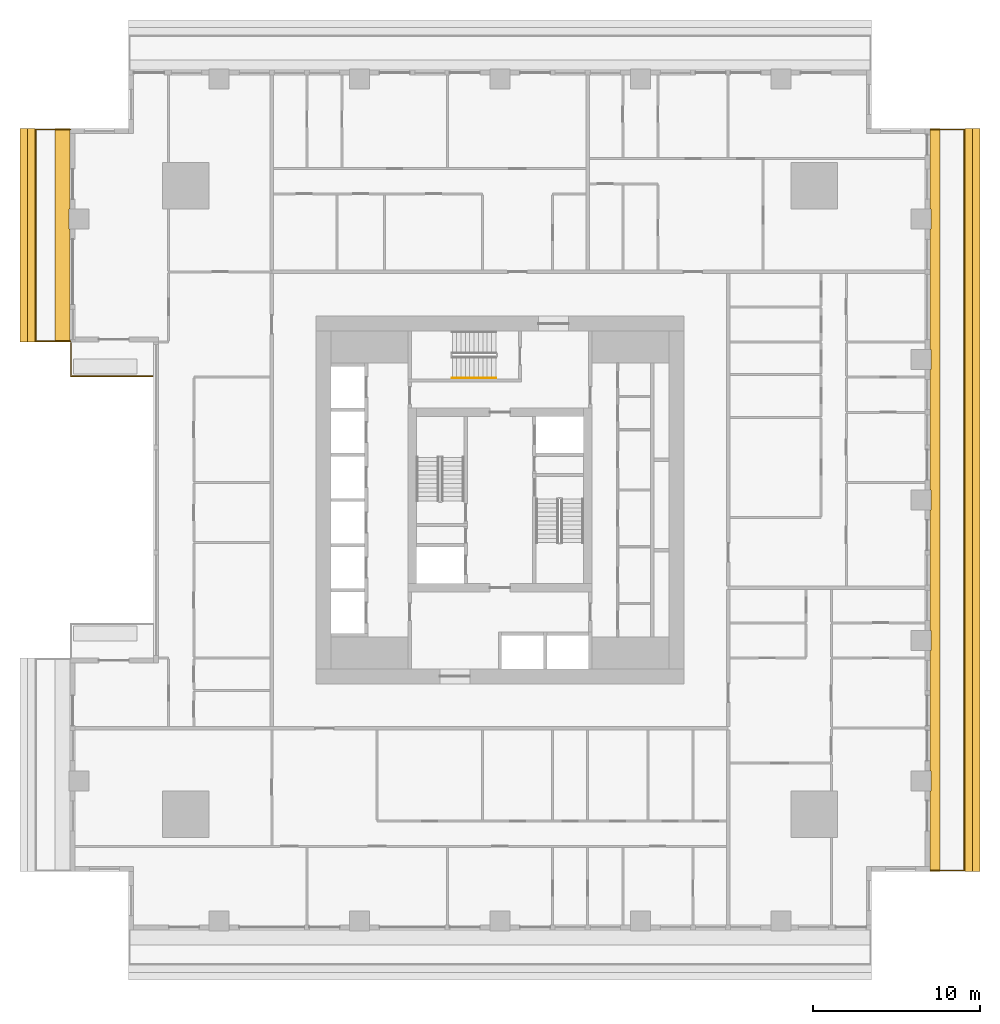
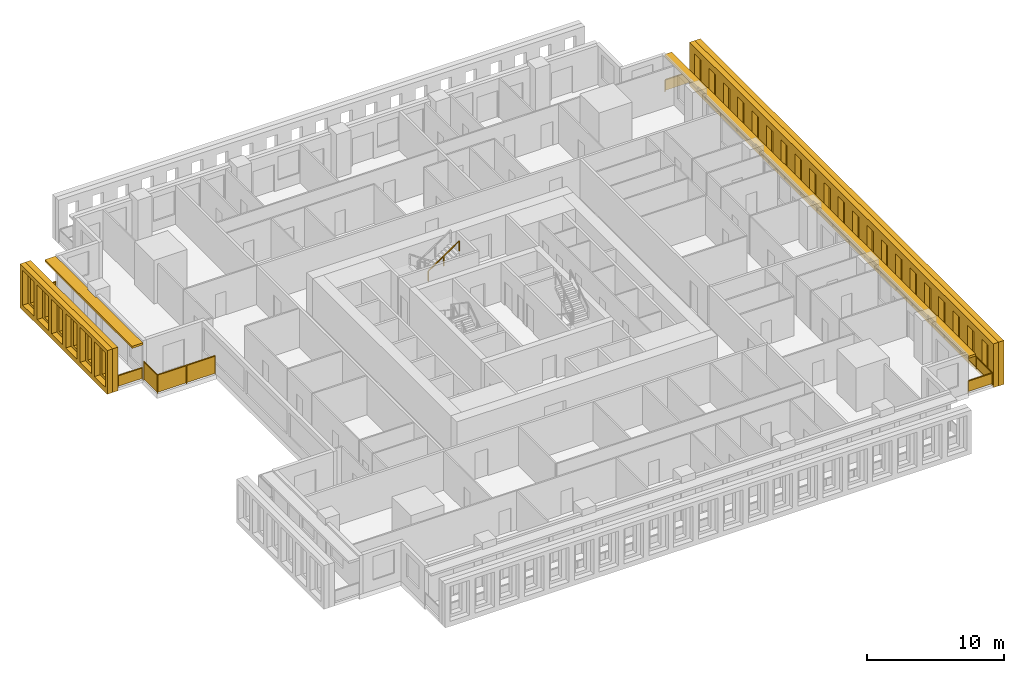
# One storey, part 12 of 14: 6 shading devices, 4 railings.
"""IFC4 building model written with IfcOpenShell, lengths in metres."""

from ifc_helpers import new_model, si_unit, direction, frame, origin, origin_2d, place, context, subcontext, project, spatial, polyline, rectangle, outline, extrude, material, layer, layer_set, type_object, element, save


model = new_model("IFC4")

# Units and contexts
model_context = context("Model", 3, precision=1e-05, world=origin(), true_north=direction((0.0, 1.0)))
body_context = subcontext(model_context, "Body", "Model", "MODEL_VIEW")
ifc_project = project(units=[si_unit("LENGTHUNIT", "METRE"), si_unit("AREAUNIT", "SQUARE_METRE"), si_unit("VOLUMEUNIT", "CUBIC_METRE"), si_unit("PLANEANGLEUNIT", "RADIAN"), si_unit("MASSUNIT", "GRAM", prefix="KILO")], contexts=[model_context])

# Site, building, storey
site_placement = place(None, origin())
site = spatial("IfcSite", under=ifc_project, at=site_placement, CompositionType="ELEMENT")
building_placement = place(site_placement, origin())
building = spatial("IfcBuilding", under=site, at=building_placement, Name="Khepri Terraces", CompositionType="ELEMENT")
storey_placement = place(building_placement, frame((0.0, 0.0, 102.60009765625)))
storey = spatial("IfcBuildingStorey", under=building, at=storey_placement, Name="L24", CompositionType="ELEMENT", Elevation=102.60009765625)

# Railings
ifc_material_1 = material(Name="Stainless steel grade 316", Category="steel")
railing_type_1 = type_object("IfcRailingType", Name="GRD-BAL-1100", PredefinedType="GUARDRAIL", material=ifc_material_1)
railing_1_placement = place(storey_placement, frame((25.719970703125, -22.169921875, 0.0)))
element("IfcRailing", 1, at=railing_1_placement, inside=storey, type_object=railing_type_1, Name="Balcony guard L24 E", PredefinedType="GUARDRAIL", context=body_context, shape_type="SweptSolid", body=[
    extrude(rectangle(XDim=0.050048828125, YDim=0.06005859375, at=origin_2d()), frame((0.0, 0.0, 1.070068359375), z_axis=(1.0, 0.0, 0.0), x_axis=(0.0, 1.0, 0.0)), (0.0, 0.0, 1.0), 2.050048828125),
    extrude(rectangle(XDim=2.0, YDim=0.011962890625, at=origin_2d()), frame((1.02490234375, 0.0, 0.10009765625), z_axis=(0.0, 0.0, 1.0), x_axis=(1.0, 0.0, 0.0)), (0.0, 0.0, 1.0), 0.93994140625),
    extrude(rectangle(XDim=0.050048828125, YDim=0.06005859375, at=origin_2d()), frame((2.050048828125, 0.0, 1.070068359375), z_axis=(0.0, 1.0, 0.0), x_axis=(-1.0, 0.0, 0.0)), (0.0, 0.0, 1.0), 44.33984375),
    extrude(rectangle(XDim=2.28369140625, YDim=0.011962890625, at=origin_2d()), frame((2.050048828125, 1.166748046875, 0.10009765625), z_axis=(0.0, 0.0, 1.0), x_axis=(0.0, 1.0, 0.0)), (0.0, 0.0, 1.0), 0.93994140625),
    extrude(rectangle(XDim=2.28369140625, YDim=0.011962890625, at=origin_2d()), frame((2.050048828125, 3.50048828125, 0.10009765625), z_axis=(0.0, 0.0, 1.0), x_axis=(0.0, 1.0, 0.0)), (0.0, 0.0, 1.0), 0.93994140625),
    extrude(rectangle(XDim=2.28369140625, YDim=0.011962890625, at=origin_2d()), frame((2.050048828125, 5.834228515625, 0.10009765625), z_axis=(0.0, 0.0, 1.0), x_axis=(0.0, 1.0, 0.0)), (0.0, 0.0, 1.0), 0.93994140625),
    extrude(rectangle(XDim=2.28369140625, YDim=0.011962890625, at=origin_2d()), frame((2.050048828125, 8.16796875, 0.10009765625), z_axis=(0.0, 0.0, 1.0), x_axis=(0.0, 1.0, 0.0)), (0.0, 0.0, 1.0), 0.93994140625),
    extrude(rectangle(XDim=2.28369140625, YDim=0.011962890625, at=origin_2d()), frame((2.050048828125, 10.50146484375, 0.10009765625), z_axis=(0.0, 0.0, 1.0), x_axis=(0.0, 1.0, 0.0)), (0.0, 0.0, 1.0), 0.93994140625),
    extrude(rectangle(XDim=2.28369140625, YDim=0.011962890625, at=origin_2d()), frame((2.050048828125, 12.835205078125, 0.10009765625), z_axis=(0.0, 0.0, 1.0), x_axis=(0.0, 1.0, 0.0)), (0.0, 0.0, 1.0), 0.93994140625),
    extrude(rectangle(XDim=2.28369140625, YDim=0.011962890625, at=origin_2d()), frame((2.050048828125, 15.1689453125, 0.10009765625), z_axis=(0.0, 0.0, 1.0), x_axis=(0.0, 1.0, 0.0)), (0.0, 0.0, 1.0), 0.93994140625),
    extrude(rectangle(XDim=2.28369140625, YDim=0.011962890625, at=origin_2d()), frame((2.050048828125, 17.502685546875, 0.10009765625), z_axis=(0.0, 0.0, 1.0), x_axis=(0.0, 1.0, 0.0)), (0.0, 0.0, 1.0), 0.93994140625),
    extrude(rectangle(XDim=2.28369140625, YDim=0.011962890625, at=origin_2d()), frame((2.050048828125, 19.836181640625, 0.10009765625), z_axis=(0.0, 0.0, 1.0), x_axis=(0.0, 1.0, 0.0)), (0.0, 0.0, 1.0), 0.93994140625),
    extrude(rectangle(XDim=2.28369140625, YDim=0.011962890625, at=origin_2d()), frame((2.050048828125, 22.169921875, 0.10009765625), z_axis=(0.0, 0.0, 1.0), x_axis=(0.0, 1.0, 0.0)), (0.0, 0.0, 1.0), 0.93994140625),
    extrude(rectangle(XDim=2.28369140625, YDim=0.011962890625, at=origin_2d()), frame((2.050048828125, 24.503662109375, 0.10009765625), z_axis=(0.0, 0.0, 1.0), x_axis=(0.0, 1.0, 0.0)), (0.0, 0.0, 1.0), 0.93994140625),
    extrude(rectangle(XDim=2.28369140625, YDim=0.011962890625, at=origin_2d()), frame((2.050048828125, 26.837158203125, 0.10009765625), z_axis=(0.0, 0.0, 1.0), x_axis=(0.0, 1.0, 0.0)), (0.0, 0.0, 1.0), 0.93994140625),
    extrude(rectangle(XDim=2.28369140625, YDim=0.011962890625, at=origin_2d()), frame((2.050048828125, 29.1708984375, 0.10009765625), z_axis=(0.0, 0.0, 1.0), x_axis=(0.0, 1.0, 0.0)), (0.0, 0.0, 1.0), 0.93994140625),
    extrude(rectangle(XDim=2.28369140625, YDim=0.011962890625, at=origin_2d()), frame((2.050048828125, 31.504638671875, 0.10009765625), z_axis=(0.0, 0.0, 1.0), x_axis=(0.0, 1.0, 0.0)), (0.0, 0.0, 1.0), 0.93994140625),
    extrude(rectangle(XDim=2.28369140625, YDim=0.011962890625, at=origin_2d()), frame((2.050048828125, 33.83837890625, 0.10009765625), z_axis=(0.0, 0.0, 1.0), x_axis=(0.0, 1.0, 0.0)), (0.0, 0.0, 1.0), 0.93994140625),
    extrude(rectangle(XDim=2.28369140625, YDim=0.011962890625, at=origin_2d()), frame((2.050048828125, 36.171875, 0.10009765625), z_axis=(0.0, 0.0, 1.0), x_axis=(0.0, 1.0, 0.0)), (0.0, 0.0, 1.0), 0.93994140625),
    extrude(rectangle(XDim=2.28369140625, YDim=0.011962890625, at=origin_2d()), frame((2.050048828125, 38.505615234375, 0.10009765625), z_axis=(0.0, 0.0, 1.0), x_axis=(0.0, 1.0, 0.0)), (0.0, 0.0, 1.0), 0.93994140625),
    extrude(rectangle(XDim=2.28369140625, YDim=0.011962890625, at=origin_2d()), frame((2.050048828125, 40.83935546875, 0.10009765625), z_axis=(0.0, 0.0, 1.0), x_axis=(0.0, 1.0, 0.0)), (0.0, 0.0, 1.0), 0.93994140625),
    extrude(rectangle(XDim=2.28369140625, YDim=0.011962890625, at=origin_2d()), frame((2.050048828125, 43.173095703125, 0.10009765625), z_axis=(0.0, 0.0, 1.0), x_axis=(0.0, 1.0, 0.0)), (0.0, 0.0, 1.0), 0.93994140625),
    extrude(rectangle(XDim=0.050048828125, YDim=0.06005859375, at=origin_2d()), frame((2.050048828125, 44.33984375, 1.070068359375), z_axis=(-1.0, 0.0, 0.0), x_axis=(0.0, -1.0, 0.0)), (0.0, 0.0, 1.0), 2.050048828125),
    extrude(rectangle(XDim=2.0, YDim=0.011962890625, at=origin_2d()), frame((1.02490234375, 44.33984375, 0.10009765625), z_axis=(0.0, 0.0, 1.0), x_axis=(-1.0, 0.0, 0.0)), (0.0, 0.0, 1.0), 0.93994140625),
    extrude(rectangle(XDim=0.050048828125, YDim=0.050048828125, at=origin_2d()), origin(), (0.0, 0.0, 1.0), 1.0400390625),
    extrude(rectangle(XDim=0.050048828125, YDim=0.050048828125, at=origin_2d()), frame((2.050048828125, 0.0, 0.0)), (0.0, 0.0, 1.0), 1.0400390625),
    extrude(rectangle(XDim=0.050048828125, YDim=0.050048828125, at=origin_2d()), frame((2.050048828125, 2.333740234375, 0.0)), (0.0, 0.0, 1.0), 1.0400390625),
    extrude(rectangle(XDim=0.050048828125, YDim=0.050048828125, at=origin_2d()), frame((2.050048828125, 4.667236328125, 0.0)), (0.0, 0.0, 1.0), 1.0400390625),
    extrude(rectangle(XDim=0.050048828125, YDim=0.050048828125, at=origin_2d()), frame((2.050048828125, 7.0009765625, 0.0)), (0.0, 0.0, 1.0), 1.0400390625),
    extrude(rectangle(XDim=0.050048828125, YDim=0.050048828125, at=origin_2d()), frame((2.050048828125, 9.334716796875, 0.0)), (0.0, 0.0, 1.0), 1.0400390625),
    extrude(rectangle(XDim=0.050048828125, YDim=0.050048828125, at=origin_2d()), frame((2.050048828125, 11.66845703125, 0.0)), (0.0, 0.0, 1.0), 1.0400390625),
    extrude(rectangle(XDim=0.050048828125, YDim=0.050048828125, at=origin_2d()), frame((2.050048828125, 14.001953125, 0.0)), (0.0, 0.0, 1.0), 1.0400390625),
    extrude(rectangle(XDim=0.050048828125, YDim=0.050048828125, at=origin_2d()), frame((2.050048828125, 16.335693359375, 0.0)), (0.0, 0.0, 1.0), 1.0400390625),
    extrude(rectangle(XDim=0.050048828125, YDim=0.050048828125, at=origin_2d()), frame((2.050048828125, 18.66943359375, 0.0)), (0.0, 0.0, 1.0), 1.0400390625),
    extrude(rectangle(XDim=0.050048828125, YDim=0.050048828125, at=origin_2d()), frame((2.050048828125, 21.003173828125, 0.0)), (0.0, 0.0, 1.0), 1.0400390625),
    extrude(rectangle(XDim=0.050048828125, YDim=0.050048828125, at=origin_2d()), frame((2.050048828125, 23.336669921875, 0.0)), (0.0, 0.0, 1.0), 1.0400390625),
    extrude(rectangle(XDim=0.050048828125, YDim=0.050048828125, at=origin_2d()), frame((2.050048828125, 25.67041015625, 0.0)), (0.0, 0.0, 1.0), 1.0400390625),
    extrude(rectangle(XDim=0.050048828125, YDim=0.050048828125, at=origin_2d()), frame((2.050048828125, 28.004150390625, 0.0)), (0.0, 0.0, 1.0), 1.0400390625),
    extrude(rectangle(XDim=0.050048828125, YDim=0.050048828125, at=origin_2d()), frame((2.050048828125, 30.337890625, 0.0)), (0.0, 0.0, 1.0), 1.0400390625),
    extrude(rectangle(XDim=0.050048828125, YDim=0.050048828125, at=origin_2d()), frame((2.050048828125, 32.67138671875, 0.0)), (0.0, 0.0, 1.0), 1.0400390625),
    extrude(rectangle(XDim=0.050048828125, YDim=0.050048828125, at=origin_2d()), frame((2.050048828125, 35.005126953125, 0.0)), (0.0, 0.0, 1.0), 1.0400390625),
    extrude(rectangle(XDim=0.050048828125, YDim=0.050048828125, at=origin_2d()), frame((2.050048828125, 37.3388671875, 0.0)), (0.0, 0.0, 1.0), 1.0400390625),
    extrude(rectangle(XDim=0.050048828125, YDim=0.050048828125, at=origin_2d()), frame((2.050048828125, 39.672607421875, 0.0)), (0.0, 0.0, 1.0), 1.0400390625),
    extrude(rectangle(XDim=0.050048828125, YDim=0.050048828125, at=origin_2d()), frame((2.050048828125, 42.006103515625, 0.0)), (0.0, 0.0, 1.0), 1.0400390625),
    extrude(rectangle(XDim=0.050048828125, YDim=0.050048828125, at=origin_2d()), frame((2.050048828125, 44.33984375, 0.0)), (0.0, 0.0, 1.0), 1.0400390625),
    extrude(rectangle(XDim=0.050048828125, YDim=0.050048828125, at=origin_2d()), frame((0.0, 44.33984375, 0.0)), (0.0, 0.0, 1.0), 1.0400390625),
])
railing_2_placement = place(storey_placement, frame((-25.719970703125, 22.169921875, 0.0)))
element("IfcRailing", 2, at=railing_2_placement, inside=storey, type_object=railing_type_1, Name="Balcony guard L24 W", PredefinedType="GUARDRAIL", context=body_context, shape_type="SweptSolid", body=[
    extrude(rectangle(XDim=0.050048828125, YDim=0.06005859375, at=origin_2d()), frame((0.0, 0.0, 1.070068359375), z_axis=(-1.0, 0.0, 0.0), x_axis=(0.0, -1.0, 0.0)), (0.0, 0.0, 1.0), 2.050048828125),
    extrude(rectangle(XDim=2.0, YDim=0.011962890625, at=origin_2d()), frame((-1.02490234375, 0.0, 0.10009765625), z_axis=(0.0, 0.0, 1.0), x_axis=(-1.0, 0.0, 0.0)), (0.0, 0.0, 1.0), 0.93994140625),
    extrude(rectangle(XDim=0.050048828125, YDim=0.06005859375, at=origin_2d()), frame((-2.050048828125, 0.0, 1.070068359375), z_axis=(0.0, -1.0, 0.0), x_axis=(1.0, 0.0, 0.0)), (0.0, 0.0, 1.0), 12.669921875),
    extrude(rectangle(XDim=2.0615234375, YDim=0.011962890625, at=origin_2d()), frame((-2.050048828125, -1.055908203125, 0.10009765625), z_axis=(0.0, 0.0, 1.0), x_axis=(0.0, -1.0, 0.0)), (0.0, 0.0, 1.0), 0.93994140625),
    extrude(rectangle(XDim=2.0615234375, YDim=0.011962890625, at=origin_2d()), frame((-2.050048828125, -3.16748046875, 0.10009765625), z_axis=(0.0, 0.0, 1.0), x_axis=(0.0, -1.0, 0.0)), (0.0, 0.0, 1.0), 0.93994140625),
    extrude(rectangle(XDim=2.0615234375, YDim=0.011962890625, at=origin_2d()), frame((-2.050048828125, -5.279052734375, 0.10009765625), z_axis=(0.0, 0.0, 1.0), x_axis=(0.0, -1.0, 0.0)), (0.0, 0.0, 1.0), 0.93994140625),
    extrude(rectangle(XDim=2.0615234375, YDim=0.011962890625, at=origin_2d()), frame((-2.050048828125, -7.390869140625, 0.10009765625), z_axis=(0.0, 0.0, 1.0), x_axis=(0.0, -1.0, 0.0)), (0.0, 0.0, 1.0), 0.93994140625),
    extrude(rectangle(XDim=2.0615234375, YDim=0.011962890625, at=origin_2d()), frame((-2.050048828125, -9.50244140625, 0.10009765625), z_axis=(0.0, 0.0, 1.0), x_axis=(0.0, -1.0, 0.0)), (0.0, 0.0, 1.0), 0.93994140625),
    extrude(rectangle(XDim=2.0615234375, YDim=0.011962890625, at=origin_2d()), frame((-2.050048828125, -11.614013671875, 0.10009765625), z_axis=(0.0, 0.0, 1.0), x_axis=(0.0, -1.0, 0.0)), (0.0, 0.0, 1.0), 0.93994140625),
    extrude(rectangle(XDim=0.050048828125, YDim=0.06005859375, at=origin_2d()), frame((-2.050048828125, -12.669921875, 1.070068359375), z_axis=(1.0, 0.0, 0.0), x_axis=(0.0, 1.0, 0.0)), (0.0, 0.0, 1.0), 2.050048828125),
    extrude(rectangle(XDim=2.0, YDim=0.011962890625, at=origin_2d()), frame((-1.02490234375, -12.669921875, 0.10009765625), z_axis=(0.0, 0.0, 1.0), x_axis=(1.0, 0.0, 0.0)), (0.0, 0.0, 1.0), 0.93994140625),
    extrude(rectangle(XDim=0.050048828125, YDim=0.050048828125, at=origin_2d()), origin(), (0.0, 0.0, 1.0), 1.0400390625),
    extrude(rectangle(XDim=0.050048828125, YDim=0.050048828125, at=origin_2d()), frame((-2.050048828125, 0.0, 0.0)), (0.0, 0.0, 1.0), 1.0400390625),
    extrude(rectangle(XDim=0.050048828125, YDim=0.050048828125, at=origin_2d()), frame((-2.050048828125, -2.111572265625, 0.0)), (0.0, 0.0, 1.0), 1.0400390625),
    extrude(rectangle(XDim=0.050048828125, YDim=0.050048828125, at=origin_2d()), frame((-2.050048828125, -4.223388671875, 0.0)), (0.0, 0.0, 1.0), 1.0400390625),
    extrude(rectangle(XDim=0.050048828125, YDim=0.050048828125, at=origin_2d()), frame((-2.050048828125, -6.3349609375, 0.0)), (0.0, 0.0, 1.0), 1.0400390625),
    extrude(rectangle(XDim=0.050048828125, YDim=0.050048828125, at=origin_2d()), frame((-2.050048828125, -8.446533203125, 0.0)), (0.0, 0.0, 1.0), 1.0400390625),
    extrude(rectangle(XDim=0.050048828125, YDim=0.050048828125, at=origin_2d()), frame((-2.050048828125, -10.558349609375, 0.0)), (0.0, 0.0, 1.0), 1.0400390625),
    extrude(rectangle(XDim=0.050048828125, YDim=0.050048828125, at=origin_2d()), frame((-2.050048828125, -12.669921875, 0.0)), (0.0, 0.0, 1.0), 1.0400390625),
    extrude(rectangle(XDim=0.050048828125, YDim=0.050048828125, at=origin_2d()), frame((0.0, -12.669921875, 0.0)), (0.0, 0.0, 1.0), 1.0400390625),
])
railing_type_2 = type_object("IfcRailingType", Name="GRD-TERR-1700", PredefinedType="GUARDRAIL", material=ifc_material_1)
railing_3_placement = place(storey_placement, frame((-20.7900390625, 7.39990234375, 0.0)))
element("IfcRailing", 3, at=railing_3_placement, inside=storey, type_object=railing_type_2, Name="Terrace guard L24", PredefinedType="GUARDRAIL", context=body_context, shape_type="SweptSolid", body=[
    extrude(rectangle(XDim=0.050048828125, YDim=0.06005859375, at=origin_2d()), frame((0.0, 0.0, 1.669921875), z_axis=(-1.0, 0.0, 0.0), x_axis=(0.0, -1.0, 0.0)), (0.0, 0.0, 1.0), 4.8798828125),
    extrude(rectangle(XDim=2.389892578125, YDim=0.011962890625, at=origin_2d()), frame((-1.219970703125, 0.0, 0.10009765625), z_axis=(0.0, 0.0, 1.0), x_axis=(-1.0, 0.0, 0.0)), (0.0, 0.0, 1.0), 1.539794921875),
    extrude(rectangle(XDim=2.389892578125, YDim=0.011962890625, at=origin_2d()), frame((-3.659912109375, 0.0, 0.10009765625), z_axis=(0.0, 0.0, 1.0), x_axis=(-1.0, 0.0, 0.0)), (0.0, 0.0, 1.0), 1.539794921875),
    extrude(rectangle(XDim=0.050048828125, YDim=0.06005859375, at=origin_2d()), frame((-4.8798828125, 0.0, 1.669921875), z_axis=(0.0, 1.0, 0.0), x_axis=(-1.0, 0.0, 0.0)), (0.0, 0.0, 1.0), 1.97998046875),
    extrude(rectangle(XDim=1.929931640625, YDim=0.011962890625, at=origin_2d()), frame((-4.8798828125, 0.989990234375, 0.10009765625), z_axis=(0.0, 0.0, 1.0), x_axis=(0.0, 1.0, 0.0)), (0.0, 0.0, 1.0), 1.539794921875),
    extrude(rectangle(XDim=0.050048828125, YDim=0.050048828125, at=origin_2d()), origin(), (0.0, 0.0, 1.0), 1.639892578125),
    extrude(rectangle(XDim=0.050048828125, YDim=0.050048828125, at=origin_2d()), frame((-2.43994140625, 0.0, 0.0)), (0.0, 0.0, 1.0), 1.639892578125),
    extrude(rectangle(XDim=0.050048828125, YDim=0.050048828125, at=origin_2d()), frame((-4.8798828125, 0.0, 0.0)), (0.0, 0.0, 1.0), 1.639892578125),
    extrude(rectangle(XDim=0.050048828125, YDim=0.050048828125, at=origin_2d()), frame((-4.8798828125, 1.97998046875, 0.0)), (0.0, 0.0, 1.0), 1.639892578125),
])
ifc_material_2 = material(Name="Stainless steel 316", Category="steel")
railing_type_3 = type_object("IfcRailingType", Name="RL-CORE-HANDRAIL", PredefinedType="HANDRAIL", material=ifc_material_2)
railing_4_placement = place(storey_placement, frame((-2.85009765625, 7.300048828125, 2.127197265625)))
element("IfcRailing", 4, at=railing_4_placement, inside=storey, type_object=railing_type_3, Name="L24 ST-3 stair handrail 2", PredefinedType="HANDRAIL", context=body_context, shape_type="SweptSolid", body=[
    extrude(rectangle(XDim=0.050048828125, YDim=0.050048828125, at=origin_2d()), frame((0.0, 0.0, 0.875), z_axis=(0.826240473404, 0.0, 0.563317565952), x_axis=(0.0, 1.0, 0.0)), (0.0, 0.0, 1.0), 3.14697265625),
    extrude(rectangle(XDim=0.050048828125, YDim=0.050048828125, at=origin_2d()), origin(), (0.0, 0.0, 1.0), 0.849853515625),
    extrude(rectangle(XDim=0.050048828125, YDim=0.050048828125, at=origin_2d()), frame((1.300048828125, 0.0, 0.88623046875)), (0.0, 0.0, 1.0), 0.849853515625),
    extrude(rectangle(XDim=0.050048828125, YDim=0.050048828125, at=origin_2d()), frame((2.60009765625, 0.0, 1.772705078125)), (0.0, 0.0, 1.0), 0.849853515625),
])

# Shading devices
ifc_material_3 = material(Name="Precast concrete C50/60 warm stone", Category="masonry")
shading_device_type_1 = type_object("IfcShadingDeviceType", Name="SCR-CELL-INNER-450", PredefinedType="USERDEFINED", material=ifc_material_3)
shading_device_1_placement = place(storey_placement, frame((27.820068359375, -22.219970703125, -0.25), z_axis=(1.0, 0.0, 0.0), x_axis=(0.0, 1.0, 0.0)))
element("IfcShadingDevice", 5, at=shading_device_1_placement, inside=storey, type_object=shading_device_type_1, Name="Cell screen L24 E in", ObjectType="SCREEN", PredefinedType="USERDEFINED", context=body_context, shape_type="SweptSolid", body=[
    extrude(outline(polyline([(0.0, 0.0), (44.43994140625, 0.0), (44.43994140625, 3.89990234375), (0.0, 3.89990234375), (0.0, 0.0)]), holes=[polyline([(0.74755859375, 0.699951171875), (1.6923828125, 0.699951171875), (1.6923828125, 3.300048828125), (0.74755859375, 3.300048828125), (0.74755859375, 0.699951171875)]), polyline([(2.847412109375, 0.699951171875), (3.79248046875, 0.699951171875), (3.79248046875, 3.300048828125), (2.847412109375, 3.300048828125), (2.847412109375, 0.699951171875)]), polyline([(4.947509765625, 0.699951171875), (5.892578125, 0.699951171875), (5.892578125, 3.300048828125), (4.947509765625, 3.300048828125), (4.947509765625, 0.699951171875)]), polyline([(7.047607421875, 0.699951171875), (7.992431640625, 0.699951171875), (7.992431640625, 3.300048828125), (7.047607421875, 3.300048828125), (7.047607421875, 0.699951171875)]), polyline([(9.1474609375, 0.699951171875), (10.092529296875, 0.699951171875), (10.092529296875, 3.300048828125), (9.1474609375, 3.300048828125), (9.1474609375, 0.699951171875)]), polyline([(11.24755859375, 0.699951171875), (12.1923828125, 0.699951171875), (12.1923828125, 3.300048828125), (11.24755859375, 3.300048828125), (11.24755859375, 0.699951171875)]), polyline([(13.347412109375, 0.699951171875), (14.29248046875, 0.699951171875), (14.29248046875, 3.300048828125), (13.347412109375, 3.300048828125), (13.347412109375, 0.699951171875)]), polyline([(15.447509765625, 0.699951171875), (16.392578125, 0.699951171875), (16.392578125, 3.300048828125), (15.447509765625, 3.300048828125), (15.447509765625, 0.699951171875)]), polyline([(17.547607421875, 0.699951171875), (18.492431640625, 0.699951171875), (18.492431640625, 3.300048828125), (17.547607421875, 3.300048828125), (17.547607421875, 0.699951171875)]), polyline([(19.6474609375, 0.699951171875), (20.592529296875, 0.699951171875), (20.592529296875, 3.300048828125), (19.6474609375, 3.300048828125), (19.6474609375, 0.699951171875)]), polyline([(21.74755859375, 0.699951171875), (22.6923828125, 0.699951171875), (22.6923828125, 3.300048828125), (21.74755859375, 3.300048828125), (21.74755859375, 0.699951171875)]), polyline([(23.847412109375, 0.699951171875), (24.79248046875, 0.699951171875), (24.79248046875, 3.300048828125), (23.847412109375, 3.300048828125), (23.847412109375, 0.699951171875)]), polyline([(25.947509765625, 0.699951171875), (26.892578125, 0.699951171875), (26.892578125, 3.300048828125), (25.947509765625, 3.300048828125), (25.947509765625, 0.699951171875)]), polyline([(28.047607421875, 0.699951171875), (28.992431640625, 0.699951171875), (28.992431640625, 3.300048828125), (28.047607421875, 3.300048828125), (28.047607421875, 0.699951171875)]), polyline([(30.1474609375, 0.699951171875), (31.092529296875, 0.699951171875), (31.092529296875, 3.300048828125), (30.1474609375, 3.300048828125), (30.1474609375, 0.699951171875)]), polyline([(32.24755859375, 0.699951171875), (33.1923828125, 0.699951171875), (33.1923828125, 3.300048828125), (32.24755859375, 3.300048828125), (32.24755859375, 0.699951171875)]), polyline([(34.347412109375, 0.699951171875), (35.29248046875, 0.699951171875), (35.29248046875, 3.300048828125), (34.347412109375, 3.300048828125), (34.347412109375, 0.699951171875)]), polyline([(36.447509765625, 0.699951171875), (37.392578125, 0.699951171875), (37.392578125, 3.300048828125), (36.447509765625, 3.300048828125), (36.447509765625, 0.699951171875)]), polyline([(38.547607421875, 0.699951171875), (39.492431640625, 0.699951171875), (39.492431640625, 3.300048828125), (38.547607421875, 3.300048828125), (38.547607421875, 0.699951171875)]), polyline([(40.6474609375, 0.699951171875), (41.592529296875, 0.699951171875), (41.592529296875, 3.300048828125), (40.6474609375, 3.300048828125), (40.6474609375, 0.699951171875)]), polyline([(42.74755859375, 0.699951171875), (43.6923828125, 0.699951171875), (43.6923828125, 3.300048828125), (42.74755859375, 3.300048828125), (42.74755859375, 0.699951171875)])]), origin(), (0.0, 0.0, 1.0), 0.449951171875),
])
shading_device_2_placement = place(storey_placement, frame((-27.820068359375, 22.219970703125, -0.25), z_axis=(-1.0, 0.0, 0.0), x_axis=(0.0, -1.0, 0.0)))
element("IfcShadingDevice", 6, at=shading_device_2_placement, inside=storey, type_object=shading_device_type_1, Name="Cell screen L24 W in", ObjectType="SCREEN", PredefinedType="USERDEFINED", context=body_context, shape_type="SweptSolid", body=[
    extrude(outline(polyline([(0.0, 0.0), (12.77001953125, 0.0), (12.77001953125, 3.89990234375), (0.0, 3.89990234375), (0.0, 0.0)]), holes=[polyline([(0.74755859375, 0.699951171875), (1.6923828125, 0.699951171875), (1.6923828125, 3.300048828125), (0.74755859375, 3.300048828125), (0.74755859375, 0.699951171875)]), polyline([(2.847412109375, 0.699951171875), (3.79248046875, 0.699951171875), (3.79248046875, 3.300048828125), (2.847412109375, 3.300048828125), (2.847412109375, 0.699951171875)]), polyline([(4.947509765625, 0.699951171875), (5.892578125, 0.699951171875), (5.892578125, 3.300048828125), (4.947509765625, 3.300048828125), (4.947509765625, 0.699951171875)]), polyline([(7.047607421875, 0.699951171875), (7.992431640625, 0.699951171875), (7.992431640625, 3.300048828125), (7.047607421875, 3.300048828125), (7.047607421875, 0.699951171875)]), polyline([(9.1474609375, 0.699951171875), (10.092529296875, 0.699951171875), (10.092529296875, 3.300048828125), (9.1474609375, 3.300048828125), (9.1474609375, 0.699951171875)]), polyline([(11.24755859375, 0.699951171875), (12.1923828125, 0.699951171875), (12.1923828125, 3.300048828125), (11.24755859375, 3.300048828125), (11.24755859375, 0.699951171875)])]), origin(), (0.0, 0.0, 1.0), 0.449951171875),
])
shading_device_type_2 = type_object("IfcShadingDeviceType", Name="SCR-CELL-OUTER-450", PredefinedType="USERDEFINED", material=ifc_material_3)
shading_device_3_placement = place(storey_placement, frame((28.27001953125, -22.219970703125, -0.25), z_axis=(1.0, 0.0, 0.0), x_axis=(0.0, 1.0, 0.0)))
element("IfcShadingDevice", 7, at=shading_device_3_placement, inside=storey, type_object=shading_device_type_2, Name="Cell screen L24 E out", ObjectType="SCREEN", PredefinedType="USERDEFINED", context=body_context, shape_type="SweptSolid", body=[
    extrude(outline(polyline([(0.0, 0.0), (44.43994140625, 0.0), (44.43994140625, 3.89990234375), (0.0, 3.89990234375), (0.0, 0.0)]), holes=[polyline([(0.3974609375, 0.449951171875), (2.04248046875, 0.449951171875), (2.04248046875, 3.550048828125), (0.3974609375, 3.550048828125), (0.3974609375, 0.449951171875)]), polyline([(2.49755859375, 0.449951171875), (4.142578125, 0.449951171875), (4.142578125, 3.550048828125), (2.49755859375, 3.550048828125), (2.49755859375, 0.449951171875)]), polyline([(4.597412109375, 0.449951171875), (6.242431640625, 0.449951171875), (6.242431640625, 3.550048828125), (4.597412109375, 3.550048828125), (4.597412109375, 0.449951171875)]), polyline([(6.697509765625, 0.449951171875), (8.342529296875, 0.449951171875), (8.342529296875, 3.550048828125), (6.697509765625, 3.550048828125), (6.697509765625, 0.449951171875)]), polyline([(8.797607421875, 0.449951171875), (10.4423828125, 0.449951171875), (10.4423828125, 3.550048828125), (8.797607421875, 3.550048828125), (8.797607421875, 0.449951171875)]), polyline([(10.8974609375, 0.449951171875), (12.54248046875, 0.449951171875), (12.54248046875, 3.550048828125), (10.8974609375, 3.550048828125), (10.8974609375, 0.449951171875)]), polyline([(12.99755859375, 0.449951171875), (14.642578125, 0.449951171875), (14.642578125, 3.550048828125), (12.99755859375, 3.550048828125), (12.99755859375, 0.449951171875)]), polyline([(15.097412109375, 0.449951171875), (16.742431640625, 0.449951171875), (16.742431640625, 3.550048828125), (15.097412109375, 3.550048828125), (15.097412109375, 0.449951171875)]), polyline([(17.197509765625, 0.449951171875), (18.842529296875, 0.449951171875), (18.842529296875, 3.550048828125), (17.197509765625, 3.550048828125), (17.197509765625, 0.449951171875)]), polyline([(19.297607421875, 0.449951171875), (20.9423828125, 0.449951171875), (20.9423828125, 3.550048828125), (19.297607421875, 3.550048828125), (19.297607421875, 0.449951171875)]), polyline([(21.3974609375, 0.449951171875), (23.04248046875, 0.449951171875), (23.04248046875, 3.550048828125), (21.3974609375, 3.550048828125), (21.3974609375, 0.449951171875)]), polyline([(23.49755859375, 0.449951171875), (25.142578125, 0.449951171875), (25.142578125, 3.550048828125), (23.49755859375, 3.550048828125), (23.49755859375, 0.449951171875)]), polyline([(25.597412109375, 0.449951171875), (27.242431640625, 0.449951171875), (27.242431640625, 3.550048828125), (25.597412109375, 3.550048828125), (25.597412109375, 0.449951171875)]), polyline([(27.697509765625, 0.449951171875), (29.342529296875, 0.449951171875), (29.342529296875, 3.550048828125), (27.697509765625, 3.550048828125), (27.697509765625, 0.449951171875)]), polyline([(29.797607421875, 0.449951171875), (31.4423828125, 0.449951171875), (31.4423828125, 3.550048828125), (29.797607421875, 3.550048828125), (29.797607421875, 0.449951171875)]), polyline([(31.8974609375, 0.449951171875), (33.54248046875, 0.449951171875), (33.54248046875, 3.550048828125), (31.8974609375, 3.550048828125), (31.8974609375, 0.449951171875)]), polyline([(33.99755859375, 0.449951171875), (35.642578125, 0.449951171875), (35.642578125, 3.550048828125), (33.99755859375, 3.550048828125), (33.99755859375, 0.449951171875)]), polyline([(36.097412109375, 0.449951171875), (37.742431640625, 0.449951171875), (37.742431640625, 3.550048828125), (36.097412109375, 3.550048828125), (36.097412109375, 0.449951171875)]), polyline([(38.197509765625, 0.449951171875), (39.842529296875, 0.449951171875), (39.842529296875, 3.550048828125), (38.197509765625, 3.550048828125), (38.197509765625, 0.449951171875)]), polyline([(40.297607421875, 0.449951171875), (41.9423828125, 0.449951171875), (41.9423828125, 3.550048828125), (40.297607421875, 3.550048828125), (40.297607421875, 0.449951171875)]), polyline([(42.3974609375, 0.449951171875), (44.04248046875, 0.449951171875), (44.04248046875, 3.550048828125), (42.3974609375, 3.550048828125), (42.3974609375, 0.449951171875)])]), origin(), (0.0, 0.0, 1.0), 0.449951171875),
])
shading_device_4_placement = place(storey_placement, frame((-28.27001953125, 22.219970703125, -0.25), z_axis=(-1.0, 0.0, 0.0), x_axis=(0.0, -1.0, 0.0)))
element("IfcShadingDevice", 8, at=shading_device_4_placement, inside=storey, type_object=shading_device_type_2, Name="Cell screen L24 W out", ObjectType="SCREEN", PredefinedType="USERDEFINED", context=body_context, shape_type="SweptSolid", body=[
    extrude(outline(polyline([(0.0, 0.0), (12.77001953125, 0.0), (12.77001953125, 3.89990234375), (0.0, 3.89990234375), (0.0, 0.0)]), holes=[polyline([(0.3974609375, 0.449951171875), (2.04248046875, 0.449951171875), (2.04248046875, 3.550048828125), (0.3974609375, 3.550048828125), (0.3974609375, 0.449951171875)]), polyline([(2.49755859375, 0.449951171875), (4.142578125, 0.449951171875), (4.142578125, 3.550048828125), (2.49755859375, 3.550048828125), (2.49755859375, 0.449951171875)]), polyline([(4.597412109375, 0.449951171875), (6.242431640625, 0.449951171875), (6.242431640625, 3.550048828125), (4.597412109375, 3.550048828125), (4.597412109375, 0.449951171875)]), polyline([(6.697509765625, 0.449951171875), (8.342529296875, 0.449951171875), (8.342529296875, 3.550048828125), (6.697509765625, 3.550048828125), (6.697509765625, 0.449951171875)]), polyline([(8.797607421875, 0.449951171875), (10.4423828125, 0.449951171875), (10.4423828125, 3.550048828125), (8.797607421875, 3.550048828125), (8.797607421875, 0.449951171875)]), polyline([(10.8974609375, 0.449951171875), (12.54248046875, 0.449951171875), (12.54248046875, 3.550048828125), (10.8974609375, 3.550048828125), (10.8974609375, 0.449951171875)])]), origin(), (0.0, 0.0, 1.0), 0.449951171875),
])
ifc_layer_1 = layer(ifc_material_3, 0.199951171875, Name="Precast concrete C50/60 warm stone", Category="masonry")
ifc_layer_set_1 = layer_set([ifc_layer_1], Name="Precast concrete C50/60 warm stone")
shading_device_type_3 = type_object("IfcShadingDeviceType", Name="SSH-BAND-STONE-200", PredefinedType="USERDEFINED", material=ifc_layer_set_1)
shading_device_5_placement = place(storey_placement, frame((0.0, 0.0, 3.099853515625)))
element("IfcShadingDevice", 9, at=shading_device_5_placement, inside=storey, type_object=shading_device_type_3, Name="Sunshade band L24 W", ObjectType="SUNSHADE", PredefinedType="USERDEFINED", context=body_context, shape_type="SweptSolid", body=[
    extrude(outline(polyline([(-25.719970703125, 17.39990234375), (-25.719970703125, 22.219970703125), (-26.6201171875, 22.219970703125), (-26.6201171875, 9.449951171875), (-25.719970703125, 9.449951171875), (-25.719970703125, 16.199951171875), (-25.800048828125, 16.199951171875), (-25.800048828125, 17.39990234375), (-25.719970703125, 17.39990234375)])), origin(), (0.0, 0.0, 1.0), 0.199951171875),
])
ifc_layer_2 = layer(ifc_material_3, 0.199951171875, Name="Precast concrete C50/60 warm stone", Category="masonry")
ifc_layer_set_2 = layer_set([ifc_layer_2], Name="Precast concrete C50/60 warm stone")
shading_device_type_4 = type_object("IfcShadingDeviceType", Name="SSH-BAND-STONE-200-N", PredefinedType="USERDEFINED", material=ifc_layer_set_2)
shading_device_6_placement = place(storey_placement, frame((0.0, 0.0, 3.099853515625)))
element("IfcShadingDevice", 10, at=shading_device_6_placement, inside=storey, type_object=shading_device_type_4, Name="Sunshade band L24 E", ObjectType="SUNSHADE", PredefinedType="USERDEFINED", context=body_context, shape_type="SweptSolid", body=[
    extrude(outline(polyline([(25.719970703125, -17.39990234375), (25.719970703125, -22.219970703125), (26.320068359375, -22.219970703125), (26.320068359375, 22.219970703125), (25.719970703125, 22.219970703125), (25.719970703125, 17.39990234375), (25.800048828125, 17.39990234375), (25.800048828125, 16.199951171875), (25.719970703125, 16.199951171875), (25.719970703125, 9.0), (25.800048828125, 9.0), (25.800048828125, 7.800048828125), (25.719970703125, 7.800048828125), (25.719970703125, 0.60009765625), (25.800048828125, 0.60009765625), (25.800048828125, -0.60009765625), (25.719970703125, -0.60009765625), (25.719970703125, -7.800048828125), (25.800048828125, -7.800048828125), (25.800048828125, -9.0), (25.719970703125, -9.0), (25.719970703125, -16.199951171875), (25.800048828125, -16.199951171875), (25.800048828125, -17.39990234375), (25.719970703125, -17.39990234375)])), origin(), (0.0, 0.0, 1.0), 0.199951171875),
])

save(model, "model.ifc")
